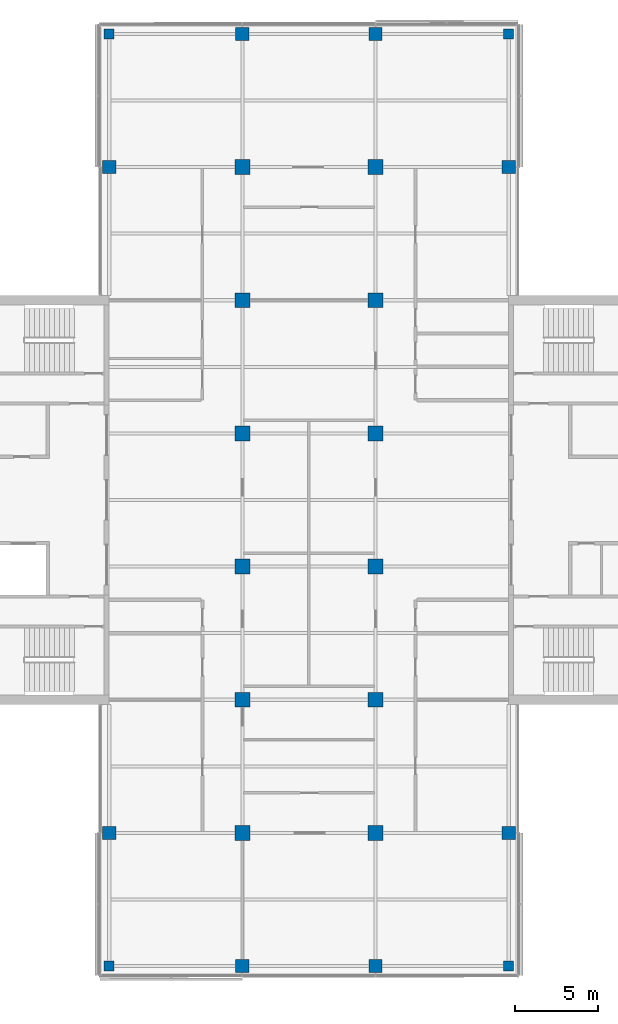
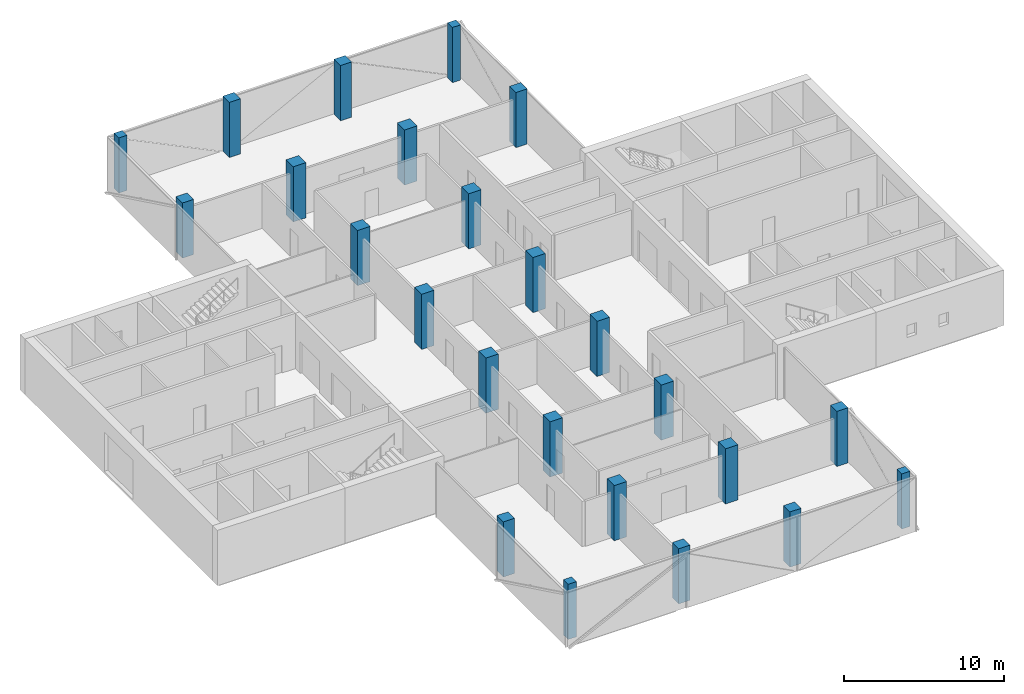
# One storey, part 1 of 16: 24 columns.
"""IFC4 building model written with IfcOpenShell, lengths in metres."""

from ifc_helpers import new_model, si_unit, direction, frame, origin, origin_2d, place, context, subcontext, project, spatial, rectangle, extrude, material, material_profile, profile_set, type_object, element, save


model = new_model("IFC4")

# Units and contexts
model_context = context("Model", 3, precision=1e-05, world=origin(), true_north=direction((0.0, 1.0)))
body_context = subcontext(model_context, "Body", "Model", "MODEL_VIEW")
ifc_project = project(units=[si_unit("LENGTHUNIT", "METRE"), si_unit("AREAUNIT", "SQUARE_METRE"), si_unit("VOLUMEUNIT", "CUBIC_METRE"), si_unit("PLANEANGLEUNIT", "RADIAN"), si_unit("MASSUNIT", "GRAM", prefix="KILO")], contexts=[model_context])

# Site, building, storey
site_placement = place(None, origin())
site = spatial("IfcSite", under=ifc_project, at=site_placement, CompositionType="ELEMENT")
building_placement = place(site_placement, origin())
building = spatial("IfcBuilding", under=site, at=building_placement, Name="Crosswind Convention Tower", CompositionType="ELEMENT")
storey_placement = place(building_placement, frame((0.0, 0.0, 212.5)))
storey = spatial("IfcBuildingStorey", under=building, at=storey_placement, Name="L45", CompositionType="ELEMENT", Elevation=212.5)

# Columns
ifc_material = material(Name="Concrete C60/75", Category="concrete")
ifc_material_profile_1 = material_profile(ifc_material, rectangle(XDim=0.60009765625, YDim=0.60009765625, at=origin_2d()), Name="RC 600X600")
ifc_profile_set_1 = profile_set([ifc_material_profile_1], Name="Concrete C60/75")
column_type_1 = type_object("IfcColumnType", Name="Column RC 600X600", PredefinedType="COLUMN", material=ifc_profile_set_1)
for number, where, z_axis, x_axis, name in (
    (1, (113.0, 72.0, 0.0), (0.0, 0.0, 1.0), (1.0, 0.0, 0.0), "C16 L45 5/C"),
    (2, (113.0, 128.0, 0.0), (0.0, 0.0, 1.0), (1.0, 0.0, 0.0), "C16 L45 5/J"),
    (3, (137.0, 72.0, 0.0), (0.0, 0.0, 1.0), (1.0, 0.0, 0.0), "C16 L45 8/C"),
    (4, (137.0, 128.0, 0.0), (0.0, 0.0, 1.0), (1.0, 0.0, 0.0), "C16 L45 8/J"),
):
    element("IfcColumn", number, at=place(storey_placement, frame(where, z_axis=z_axis, x_axis=x_axis)), inside=storey, type_object=column_type_1, Name=name, PredefinedType="COLUMN", context=body_context, shape_type="SweptSolid", body=[
        extrude(rectangle(XDim=0.60009765625, YDim=0.60009765625, at=origin_2d()), origin(), (0.0, 0.0, 1.0), 4.199951171875),
    ])
ifc_material_profile_2 = material_profile(ifc_material, rectangle(XDim=0.800048828125, YDim=0.800048828125, at=origin_2d()), Name="RC 800X800")
ifc_profile_set_2 = profile_set([ifc_material_profile_2], Name="Concrete C60/75")
column_type_2 = type_object("IfcColumnType", Name="Column RC 800X800", PredefinedType="COLUMN", material=ifc_profile_set_2)
for number, where, z_axis, x_axis, name in (
    (5, (113.0, 80.0, 0.0), (0.0, 0.0, 1.0), (1.0, 0.0, 0.0), "C14 L45 5/D"),
    (6, (113.0, 120.0, 0.0), (0.0, 0.0, 1.0), (1.0, 0.0, 0.0), "C14 L45 5/I"),
    (7, (121.0, 72.0, 0.0), (0.0, 0.0, 1.0), (1.0, 0.0, 0.0), "C14 L45 6/C"),
    (8, (121.0, 128.0, 0.0), (0.0, 0.0, 1.0), (1.0, 0.0, 0.0), "C14 L45 6/J"),
    (9, (129.0, 72.0, 0.0), (0.0, 0.0, 1.0), (1.0, 0.0, 0.0), "C14 L45 7/C"),
    (10, (129.0, 128.0, 0.0), (0.0, 0.0, 1.0), (1.0, 0.0, 0.0), "C14 L45 7/J"),
    (11, (137.0, 80.0, 0.0), (0.0, 0.0, 1.0), (1.0, 0.0, 0.0), "C14 L45 8/D"),
    (12, (137.0, 120.0, 0.0), (0.0, 0.0, 1.0), (1.0, 0.0, 0.0), "C14 L45 8/I"),
):
    element("IfcColumn", number, at=place(storey_placement, frame(where, z_axis=z_axis, x_axis=x_axis)), inside=storey, type_object=column_type_2, Name=name, PredefinedType="COLUMN", context=body_context, shape_type="SweptSolid", body=[
        extrude(rectangle(XDim=0.800048828125, YDim=0.800048828125, at=origin_2d()), origin(), (0.0, 0.0, 1.0), 4.199951171875),
    ])
ifc_material_profile_3 = material_profile(ifc_material, rectangle(XDim=0.89990234375, YDim=0.89990234375, at=origin_2d()), Name="RC 900X900")
ifc_profile_set_3 = profile_set([ifc_material_profile_3], Name="Concrete C60/75")
column_type_3 = type_object("IfcColumnType", Name="Column RC 900X900", PredefinedType="COLUMN", material=ifc_profile_set_3)
for number, where, z_axis, x_axis, name in (
    (13, (121.0, 80.0, 0.0), (0.0, 0.0, 1.0), (1.0, 0.0, 0.0), "C13 L45 6/D"),
    (14, (121.0, 88.0, 0.0), (0.0, 0.0, 1.0), (1.0, 0.0, 0.0), "C13 L45 6/E"),
    (15, (121.0, 96.0, 0.0), (0.0, 0.0, 1.0), (1.0, 0.0, 0.0), "C13 L45 6/F"),
    (16, (121.0, 104.0, 0.0), (0.0, 0.0, 1.0), (1.0, 0.0, 0.0), "C13 L45 6/G"),
    (17, (121.0, 112.0, 0.0), (0.0, 0.0, 1.0), (1.0, 0.0, 0.0), "C13 L45 6/H"),
    (18, (121.0, 120.0, 0.0), (0.0, 0.0, 1.0), (1.0, 0.0, 0.0), "C13 L45 6/I"),
    (19, (129.0, 80.0, 0.0), (0.0, 0.0, 1.0), (1.0, 0.0, 0.0), "C13 L45 7/D"),
    (20, (129.0, 88.0, 0.0), (0.0, 0.0, 1.0), (1.0, 0.0, 0.0), "C13 L45 7/E"),
    (21, (129.0, 96.0, 0.0), (0.0, 0.0, 1.0), (1.0, 0.0, 0.0), "C13 L45 7/F"),
    (22, (129.0, 104.0, 0.0), (0.0, 0.0, 1.0), (1.0, 0.0, 0.0), "C13 L45 7/G"),
    (23, (129.0, 112.0, 0.0), (0.0, 0.0, 1.0), (1.0, 0.0, 0.0), "C13 L45 7/H"),
    (24, (129.0, 120.0, 0.0), (0.0, 0.0, 1.0), (1.0, 0.0, 0.0), "C13 L45 7/I"),
):
    element("IfcColumn", number, at=place(storey_placement, frame(where, z_axis=z_axis, x_axis=x_axis)), inside=storey, type_object=column_type_3, Name=name, PredefinedType="COLUMN", context=body_context, shape_type="SweptSolid", body=[
        extrude(rectangle(XDim=0.89990234375, YDim=0.89990234375, at=origin_2d()), origin(), (0.0, 0.0, 1.0), 4.199951171875),
    ])

save(model, "model.ifc")
